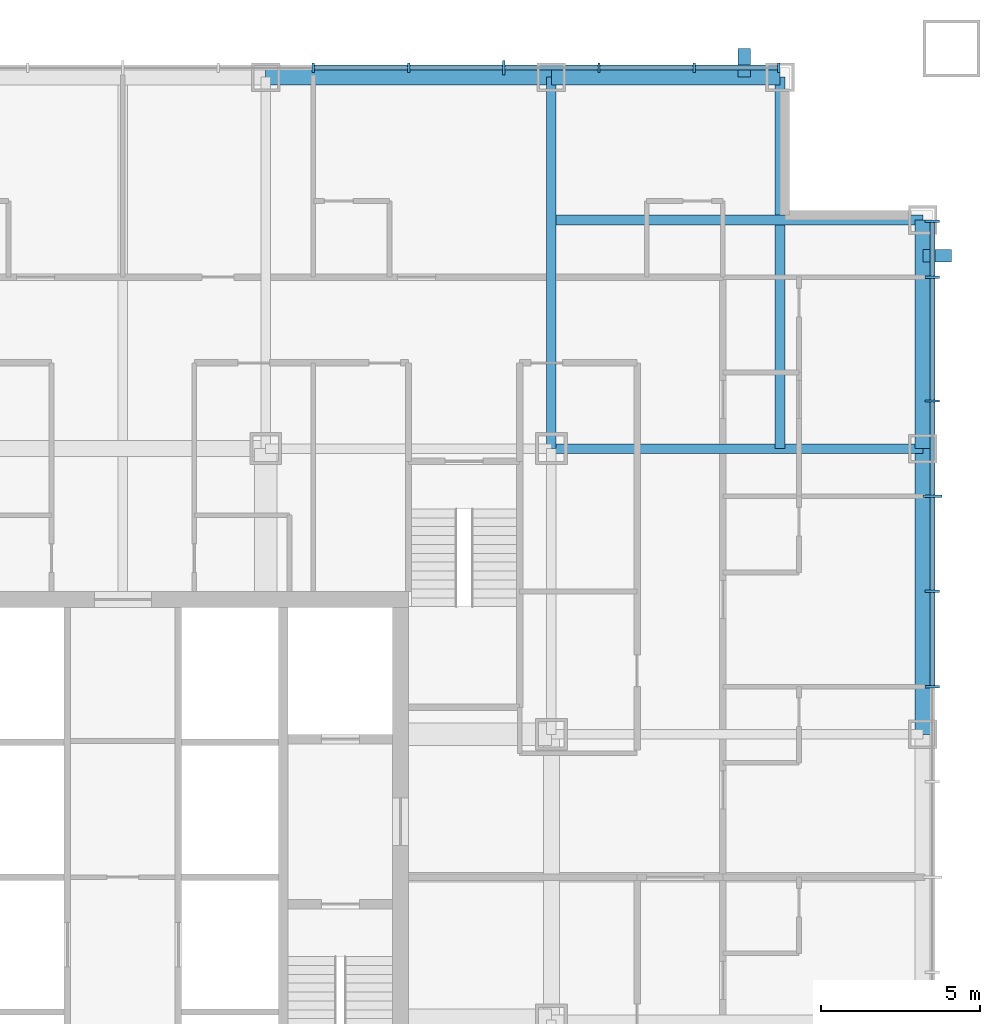
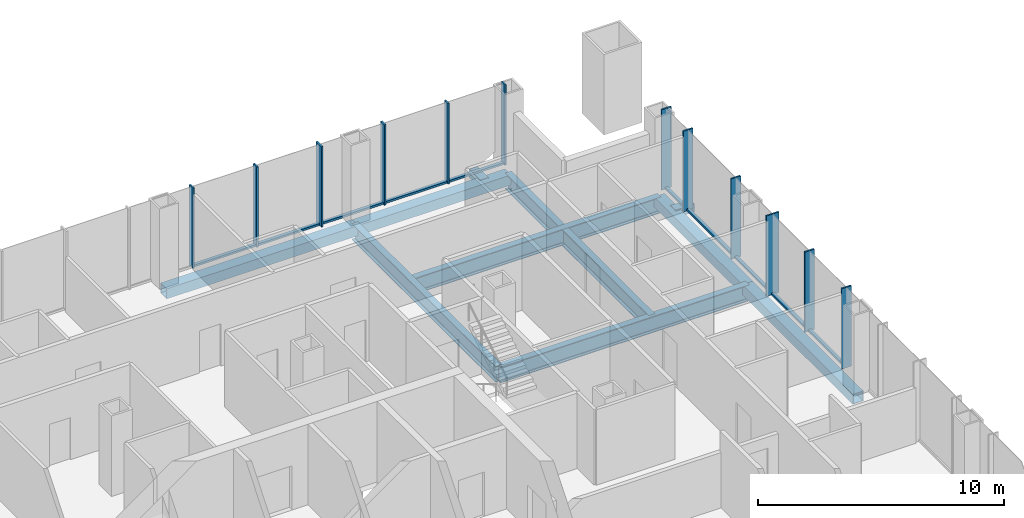
# One storey, part 5 of 12: 24 members, 8 beams, 2 elements without a shape of their own.
"""IFC4 building model written with IfcOpenShell, lengths in metres."""

from ifc_helpers import new_model, si_unit, direction, frame, origin, origin_2d, place, context, subcontext, project, spatial, rectangle, hollow_rectangle, i_section, extrude, material, layer, layer_set, material_profile, profile_set, type_object, element, aggregate, save


model = new_model("IFC4")

# Units and contexts
model_context = context("Model", 3, precision=1e-05, world=origin(), true_north=direction((0.0, 1.0)))
body_context = subcontext(model_context, "Body", "Model", "MODEL_VIEW")
ifc_project = project(units=[si_unit("LENGTHUNIT", "METRE"), si_unit("AREAUNIT", "SQUARE_METRE"), si_unit("VOLUMEUNIT", "CUBIC_METRE"), si_unit("PLANEANGLEUNIT", "RADIAN"), si_unit("MASSUNIT", "GRAM", prefix="KILO")], contexts=[model_context])

# Site, building, storey
site_placement = place(None, origin())
site = spatial("IfcSite", under=ifc_project, at=site_placement, CompositionType="ELEMENT")
building_placement = place(site_placement, origin())
building = spatial("IfcBuilding", under=site, at=building_placement, Name="Malebo Sky Hospital", CompositionType="ELEMENT")
storey_placement = place(building_placement, frame((0.0, 0.0, 59.0)))
storey = spatial("IfcBuildingStorey", under=building, at=storey_placement, Name="L13", CompositionType="ELEMENT", Elevation=59.0)

# Curtain wall, members
ifc_material_1 = material(Name="Anodised aluminium, natural silver", Category="aluminium")
ifc_layer_1 = layer(ifc_material_1, 0.25)
ifc_layer_set_1 = layer_set([ifc_layer_1], Name="WARD CURTAIN WALL NORTH AND SOUTH")
curtain_wall_type_1 = type_object("IfcCurtainWallType", Name="WARD CURTAIN WALL NORTH AND SOUTH", PredefinedType="NOTDEFINED", material=ifc_layer_set_1)
curtain_wall_1_placement = place(storey_placement, origin())
curtain_wall_1 = element("IfcCurtainWall", 1, at=curtain_wall_1_placement, inside=storey, type_object=curtain_wall_type_1, Name="NS curtain wall N", PredefinedType="NOTDEFINED")
ifc_material_profile_1 = material_profile(ifc_material_1, rectangle(XDim=0.14990234375, YDim=0.10009765625, at=origin_2d()), Name="ALUMINIUM TRANSOM 150x100")
ifc_profile_set_1 = profile_set([ifc_material_profile_1], Name="Anodised aluminium, natural silver")
member_type_1 = type_object("IfcMemberType", Name="ALUMINIUM TRANSOM 150x100", PredefinedType="USERDEFINED", material=ifc_profile_set_1)
member_1_placement = place(storey_placement, frame((66.03759765625, 87.5, 0.050048828125), z_axis=(1.0, 0.0, 0.0), x_axis=(0.0, 1.0, 0.0)))
member_1 = element("IfcMember", 2, at=member_1_placement, type_object=member_type_1, Name="Transom 10", ObjectType="TRANSOM", PredefinedType="USERDEFINED", context=body_context, shape_type="SweptSolid", body=[
    extrude(rectangle(XDim=0.14990234375, YDim=0.10009765625, at=origin_2d()), origin(), (0.0, 0.0, 1.0), 2.9248046875),
])
member_2_placement = place(storey_placement, frame((69.03759765625, 87.5, 0.050048828125), z_axis=(1.0, 0.0, 0.0), x_axis=(0.0, 1.0, 0.0)))
member_2 = element("IfcMember", 3, at=member_2_placement, type_object=member_type_1, Name="Transom 11", ObjectType="TRANSOM", PredefinedType="USERDEFINED", context=body_context, shape_type="SweptSolid", body=[
    extrude(rectangle(XDim=0.14990234375, YDim=0.10009765625, at=origin_2d()), origin(), (0.0, 0.0, 1.0), 2.9248046875),
])
member_3_placement = place(storey_placement, frame((72.03759765625, 87.5, 0.050048828125), z_axis=(1.0, 0.0, 0.0), x_axis=(0.0, 1.0, 0.0)))
member_3 = element("IfcMember", 4, at=member_3_placement, type_object=member_type_1, Name="Transom 12", ObjectType="TRANSOM", PredefinedType="USERDEFINED", context=body_context, shape_type="SweptSolid", body=[
    extrude(rectangle(XDim=0.14990234375, YDim=0.10009765625, at=origin_2d()), origin(), (0.0, 0.0, 1.0), 2.9248046875),
])
member_4_placement = place(storey_placement, frame((75.03759765625, 87.5, 0.050048828125), z_axis=(1.0, 0.0, 0.0), x_axis=(0.0, 1.0, 0.0)))
member_4 = element("IfcMember", 5, at=member_4_placement, type_object=member_type_1, Name="Transom 13", ObjectType="TRANSOM", PredefinedType="USERDEFINED", context=body_context, shape_type="SweptSolid", body=[
    extrude(rectangle(XDim=0.14990234375, YDim=0.10009765625, at=origin_2d()), origin(), (0.0, 0.0, 1.0), 2.9248046875),
])
member_5_placement = place(storey_placement, frame((78.03759765625, 87.5, 0.050048828125), z_axis=(1.0, 0.0, 0.0), x_axis=(0.0, 1.0, 0.0)))
member_5 = element("IfcMember", 6, at=member_5_placement, type_object=member_type_1, Name="Transom 14", ObjectType="TRANSOM", PredefinedType="USERDEFINED", context=body_context, shape_type="SweptSolid", body=[
    extrude(rectangle(XDim=0.14990234375, YDim=0.10009765625, at=origin_2d()), origin(), (0.0, 0.0, 1.0), 2.58740234375),
])

ifc_layer_2 = layer(ifc_material_1, 0.25)
ifc_layer_set_2 = layer_set([ifc_layer_2], Name="WARD CURTAIN WALL EAST AND WEST")
curtain_wall_type_2 = type_object("IfcCurtainWallType", Name="WARD CURTAIN WALL EAST AND WEST", PredefinedType="NOTDEFINED", material=ifc_layer_set_2)
curtain_wall_2_placement = place(storey_placement, origin())
curtain_wall_2 = element("IfcCurtainWall", 7, at=curtain_wall_2_placement, inside=storey, type_object=curtain_wall_type_2, Name="EW curtain wall E", PredefinedType="NOTDEFINED")
member_6_placement = place(storey_placement, frame((85.5, 82.625, 0.050048828125), z_axis=(0.0, -1.0, 0.0), x_axis=(1.0, 0.0, 0.0)))
member_6 = element("IfcMember", 8, at=member_6_placement, type_object=member_type_1, Name="Transom 1", ObjectType="TRANSOM", PredefinedType="USERDEFINED", context=body_context, shape_type="SweptSolid", body=[
    extrude(rectangle(XDim=0.14990234375, YDim=0.10009765625, at=origin_2d()), origin(), (0.0, 0.0, 1.0), 1.6875),
])
member_7_placement = place(storey_placement, frame((85.5, 80.862548828125, 0.050048828125), z_axis=(0.0, -1.0, 0.0), x_axis=(1.0, 0.0, 0.0)))
member_7 = element("IfcMember", 9, at=member_7_placement, type_object=member_type_1, Name="Transom 2", ObjectType="TRANSOM", PredefinedType="USERDEFINED", context=body_context, shape_type="SweptSolid", body=[
    extrude(rectangle(XDim=0.14990234375, YDim=0.10009765625, at=origin_2d()), origin(), (0.0, 0.0, 1.0), 3.824951171875),
])
member_8_placement = place(storey_placement, frame((85.5, 76.96240234375, 0.050048828125), z_axis=(0.0, -1.0, 0.0), x_axis=(1.0, 0.0, 0.0)))
member_8 = element("IfcMember", 10, at=member_8_placement, type_object=member_type_1, Name="Transom 3", ObjectType="TRANSOM", PredefinedType="USERDEFINED", context=body_context, shape_type="SweptSolid", body=[
    extrude(rectangle(XDim=0.14990234375, YDim=0.10009765625, at=origin_2d()), origin(), (0.0, 0.0, 1.0), 2.9248046875),
])
member_9_placement = place(storey_placement, frame((85.5, 73.96240234375, 0.050048828125), z_axis=(0.0, -1.0, 0.0), x_axis=(1.0, 0.0, 0.0)))
member_9 = element("IfcMember", 11, at=member_9_placement, type_object=member_type_1, Name="Transom 4", ObjectType="TRANSOM", PredefinedType="USERDEFINED", context=body_context, shape_type="SweptSolid", body=[
    extrude(rectangle(XDim=0.14990234375, YDim=0.10009765625, at=origin_2d()), origin(), (0.0, 0.0, 1.0), 2.9248046875),
])
member_10_placement = place(storey_placement, frame((85.5, 70.96240234375, 0.050048828125), z_axis=(0.0, -1.0, 0.0), x_axis=(1.0, 0.0, 0.0)))
member_10 = element("IfcMember", 12, at=member_10_placement, type_object=member_type_1, Name="Transom 5", ObjectType="TRANSOM", PredefinedType="USERDEFINED", context=body_context, shape_type="SweptSolid", body=[
    extrude(rectangle(XDim=0.14990234375, YDim=0.10009765625, at=origin_2d()), origin(), (0.0, 0.0, 1.0), 2.9248046875),
])

# Members
ifc_material_2 = material(Name="Steel S355", Category="steel")
ifc_material_profile_2 = material_profile(ifc_material_2, hollow_rectangle(XDim=0.39990234375, YDim=0.39990234375, WallThickness=0.02001953125, at=origin_2d()), Name="SHS 400x20")
ifc_profile_set_2 = profile_set([ifc_material_profile_2], Name="Steel S355")
member_type_2 = type_object("IfcMemberType", Name="BRACE STRUT SHS 400x20", PredefinedType="STRUT", material=ifc_profile_set_2)
for number, where, z_axis, x_axis, name in (
    (13, (79.574951171875, 88.10009765625, -0.39990234375), (0.0, -1.0, 0.0), (1.0, 0.0, 0.0), "Brace strut AN2 L13"),
    (14, (86.10009765625, 81.574951171875, -0.39990234375), (-1.0, 0.0, 0.0), (0.0, -1.0, 0.0), "Brace strut AE1 L13"),
):
    element("IfcMember", number, at=place(storey_placement, frame(where, z_axis=z_axis, x_axis=x_axis)), inside=storey, type_object=member_type_2, Name=name, PredefinedType="STRUT", context=body_context, shape_type="SweptSolid", body=[
        extrude(hollow_rectangle(XDim=0.39990234375, YDim=0.39990234375, WallThickness=0.02001953125, at=origin_2d()), origin(), (0.0, 0.0, 1.0), 0.900146484375),
    ])

# Member
ifc_material_profile_3 = material_profile(ifc_material_1, rectangle(XDim=0.074951171875, YDim=0.300048828125, at=origin_2d()), Name="CW1 ALUMINIUM FIN MULLION 75x300")
ifc_profile_set_3 = profile_set([ifc_material_profile_3], Name="Anodised aluminium, natural silver")
member_type_3 = type_object("IfcMemberType", Name="CW1 ALUMINIUM FIN MULLION 75x300", PredefinedType="MULLION", material=ifc_profile_set_3)
member_11_placement = place(storey_placement, frame((66.0, 87.5, 0.0), z_axis=(0.0, 0.0, 1.0), x_axis=(1.0, 0.0, 0.0)))
member_11 = element("IfcMember", 15, at=member_11_placement, type_object=member_type_3, Name="Fin mullion 10", PredefinedType="MULLION", context=body_context, shape_type="SweptSolid", body=[
    extrude(rectangle(XDim=0.074951171875, YDim=0.300048828125, at=origin_2d()), origin(), (0.0, 0.0, 1.0), 4.0),
])

member_12_placement = place(storey_placement, frame((69.0, 87.5, 0.0), z_axis=(0.0, 0.0, 1.0), x_axis=(1.0, 0.0, 0.0)))
member_12 = element("IfcMember", 16, at=member_12_placement, type_object=member_type_3, Name="Fin mullion 11", PredefinedType="MULLION", context=body_context, shape_type="SweptSolid", body=[
    extrude(rectangle(XDim=0.074951171875, YDim=0.300048828125, at=origin_2d()), origin(), (0.0, 0.0, 1.0), 4.0),
])

member_13_placement = place(storey_placement, frame((75.0, 87.5, 0.0), z_axis=(0.0, 0.0, 1.0), x_axis=(1.0, 0.0, 0.0)))
member_13 = element("IfcMember", 17, at=member_13_placement, type_object=member_type_3, Name="Fin mullion 13", PredefinedType="MULLION", context=body_context, shape_type="SweptSolid", body=[
    extrude(rectangle(XDim=0.074951171875, YDim=0.300048828125, at=origin_2d()), origin(), (0.0, 0.0, 1.0), 4.0),
])

member_14_placement = place(storey_placement, frame((78.0, 87.5, 0.0), z_axis=(0.0, 0.0, 1.0), x_axis=(1.0, 0.0, 0.0)))
member_14 = element("IfcMember", 18, at=member_14_placement, type_object=member_type_3, Name="Fin mullion 14", PredefinedType="MULLION", context=body_context, shape_type="SweptSolid", body=[
    extrude(rectangle(XDim=0.074951171875, YDim=0.300048828125, at=origin_2d()), origin(), (0.0, 0.0, 1.0), 4.0),
])

member_15_placement = place(storey_placement, frame((80.66259765625, 87.5, 0.0), z_axis=(0.0, 0.0, 1.0), x_axis=(1.0, 0.0, 0.0)))
member_15 = element("IfcMember", 19, at=member_15_placement, type_object=member_type_3, Name="Fin mullion 15", PredefinedType="MULLION", context=body_context, shape_type="SweptSolid", body=[
    extrude(rectangle(XDim=0.074951171875, YDim=0.300048828125, at=origin_2d()), origin(), (0.0, 0.0, 1.0), 4.0),
])

ifc_material_profile_4 = material_profile(ifc_material_1, rectangle(XDim=0.074951171875, YDim=0.449951171875, at=origin_2d()), Name="CW1 ALUMINIUM FIN MULLION 75x450")
ifc_profile_set_4 = profile_set([ifc_material_profile_4], Name="Anodised aluminium, natural silver")
member_type_4 = type_object("IfcMemberType", Name="CW1 ALUMINIUM FIN MULLION 75x450", PredefinedType="MULLION", material=ifc_profile_set_4)
member_16_placement = place(storey_placement, frame((72.0, 87.5, 0.0), z_axis=(0.0, 0.0, 1.0), x_axis=(1.0, 0.0, 0.0)))
member_16 = element("IfcMember", 20, at=member_16_placement, type_object=member_type_4, Name="Fin mullion 12", PredefinedType="MULLION", context=body_context, shape_type="SweptSolid", body=[
    extrude(rectangle(XDim=0.074951171875, YDim=0.449951171875, at=origin_2d()), origin(), (0.0, 0.0, 1.0), 4.0),
])

aggregate(curtain_wall_1, [member_11, member_12, member_16, member_13, member_14, member_15, member_1, member_2, member_3, member_4, member_5])

ifc_material_profile_5 = material_profile(ifc_material_1, rectangle(XDim=0.074951171875, YDim=0.449951171875, at=origin_2d()), Name="CW2 ALUMINIUM FIN MULLION 75x450")
ifc_profile_set_5 = profile_set([ifc_material_profile_5], Name="Anodised aluminium, natural silver")
member_type_5 = type_object("IfcMemberType", Name="CW2 ALUMINIUM FIN MULLION 75x450", PredefinedType="MULLION", material=ifc_profile_set_5)
member_17_placement = place(storey_placement, frame((85.5, 82.66259765625, 0.0), z_axis=(0.0, 0.0, 1.0), x_axis=(0.0, -1.0, 0.0)))
member_17 = element("IfcMember", 21, at=member_17_placement, type_object=member_type_5, Name="Fin mullion 1", PredefinedType="MULLION", context=body_context, shape_type="SweptSolid", body=[
    extrude(rectangle(XDim=0.074951171875, YDim=0.449951171875, at=origin_2d()), origin(), (0.0, 0.0, 1.0), 4.0),
])

member_18_placement = place(storey_placement, frame((85.5, 80.89990234375, 0.0), z_axis=(0.0, 0.0, 1.0), x_axis=(0.0, -1.0, 0.0)))
member_18 = element("IfcMember", 22, at=member_18_placement, type_object=member_type_5, Name="Fin mullion 2", PredefinedType="MULLION", context=body_context, shape_type="SweptSolid", body=[
    extrude(rectangle(XDim=0.074951171875, YDim=0.449951171875, at=origin_2d()), origin(), (0.0, 0.0, 1.0), 4.0),
])

member_19_placement = place(storey_placement, frame((85.5, 77.0, 0.0), z_axis=(0.0, 0.0, 1.0), x_axis=(0.0, -1.0, 0.0)))
member_19 = element("IfcMember", 23, at=member_19_placement, type_object=member_type_5, Name="Fin mullion 3", PredefinedType="MULLION", context=body_context, shape_type="SweptSolid", body=[
    extrude(rectangle(XDim=0.074951171875, YDim=0.449951171875, at=origin_2d()), origin(), (0.0, 0.0, 1.0), 4.0),
])

member_20_placement = place(storey_placement, frame((85.5, 71.0, 0.0), z_axis=(0.0, 0.0, 1.0), x_axis=(0.0, -1.0, 0.0)))
member_20 = element("IfcMember", 24, at=member_20_placement, type_object=member_type_5, Name="Fin mullion 5", PredefinedType="MULLION", context=body_context, shape_type="SweptSolid", body=[
    extrude(rectangle(XDim=0.074951171875, YDim=0.449951171875, at=origin_2d()), origin(), (0.0, 0.0, 1.0), 4.0),
])

member_21_placement = place(storey_placement, frame((85.5, 68.0, 0.0), z_axis=(0.0, 0.0, 1.0), x_axis=(0.0, -1.0, 0.0)))
member_21 = element("IfcMember", 25, at=member_21_placement, type_object=member_type_5, Name="Fin mullion 6", PredefinedType="MULLION", context=body_context, shape_type="SweptSolid", body=[
    extrude(rectangle(XDim=0.074951171875, YDim=0.449951171875, at=origin_2d()), origin(), (0.0, 0.0, 1.0), 4.0),
])

ifc_material_profile_6 = material_profile(ifc_material_1, rectangle(XDim=0.074951171875, YDim=0.60009765625, at=origin_2d()), Name="CW2 ALUMINIUM FIN MULLION 75x600")
ifc_profile_set_6 = profile_set([ifc_material_profile_6], Name="Anodised aluminium, natural silver")
member_type_6 = type_object("IfcMemberType", Name="CW2 ALUMINIUM FIN MULLION 75x600", PredefinedType="MULLION", material=ifc_profile_set_6)
member_22_placement = place(storey_placement, frame((85.5, 74.0, 0.0), z_axis=(0.0, 0.0, 1.0), x_axis=(0.0, -1.0, 0.0)))
member_22 = element("IfcMember", 26, at=member_22_placement, type_object=member_type_6, Name="Fin mullion 4", PredefinedType="MULLION", context=body_context, shape_type="SweptSolid", body=[
    extrude(rectangle(XDim=0.074951171875, YDim=0.60009765625, at=origin_2d()), origin(), (0.0, 0.0, 1.0), 4.0),
])

aggregate(curtain_wall_2, [member_17, member_18, member_19, member_22, member_20, member_21, member_6, member_7, member_8, member_9, member_10])

# Beams
ifc_material_3 = material(Name="Steel S460", Category="steel")
ifc_material_profile_7 = material_profile(ifc_material_3, hollow_rectangle(XDim=0.5, YDim=0.5, WallThickness=0.030029296875, at=origin_2d()), Name="BOX 500x500x30")
ifc_profile_set_7 = profile_set([ifc_material_profile_7], Name="Steel S460")
beam_type_1 = type_object("IfcBeamType", Name="EDGE BEAM BOX 500x500x30", PredefinedType="BEAM", material=ifc_profile_set_7)
beam_1_placement = place(storey_placement, frame((85.199951171875, 66.5, -0.5), z_axis=(0.0, 1.0, 0.0), x_axis=(-1.0, 0.0, 0.0)))
element("IfcBeam", 27, at=beam_1_placement, inside=storey, type_object=beam_type_1, Name="Beam 032 L13", PredefinedType="BEAM", context=body_context, shape_type="SweptSolid", body=[
    extrude(hollow_rectangle(XDim=0.5, YDim=0.5, WallThickness=0.030029296875, at=origin_2d()), origin(), (0.0, 0.0, 1.0), 9.0),
])
beam_2_placement = place(storey_placement, frame((85.199951171875, 75.5, -0.5), z_axis=(0.0, 1.0, 0.0), x_axis=(-1.0, 0.0, 0.0)))
element("IfcBeam", 28, at=beam_2_placement, inside=storey, type_object=beam_type_1, Name="Beam 033 L13", PredefinedType="BEAM", context=body_context, shape_type="SweptSolid", body=[
    extrude(hollow_rectangle(XDim=0.5, YDim=0.5, WallThickness=0.030029296875, at=origin_2d()), origin(), (0.0, 0.0, 1.0), 7.199951171875),
])
beam_3_placement = place(storey_placement, frame((64.5, 87.199951171875, -0.5), z_axis=(1.0, 0.0, 0.0), x_axis=(0.0, 1.0, 0.0)))
element("IfcBeam", 29, at=beam_3_placement, inside=storey, type_object=beam_type_1, Name="Beam 066 L13", PredefinedType="BEAM", context=body_context, shape_type="SweptSolid", body=[
    extrude(hollow_rectangle(XDim=0.5, YDim=0.5, WallThickness=0.030029296875, at=origin_2d()), origin(), (0.0, 0.0, 1.0), 9.0),
])
beam_4_placement = place(storey_placement, frame((73.5, 87.199951171875, -0.5), z_axis=(1.0, 0.0, 0.0), x_axis=(0.0, 1.0, 0.0)))
element("IfcBeam", 30, at=beam_4_placement, inside=storey, type_object=beam_type_1, Name="Beam 067 L13", PredefinedType="BEAM", context=body_context, shape_type="SweptSolid", body=[
    extrude(hollow_rectangle(XDim=0.5, YDim=0.5, WallThickness=0.030029296875, at=origin_2d()), origin(), (0.0, 0.0, 1.0), 7.199951171875),
])
ifc_material_profile_8 = material_profile(ifc_material_2, i_section(OverallWidth=0.300048828125, OverallDepth=0.800048828125, WebThickness=0.017578125, FlangeThickness=0.032958984375, FilletRadius=0.030029296875, at=origin_2d()), Name="HEB 800")
ifc_profile_set_8 = profile_set([ifc_material_profile_8], Name="Steel S355")
beam_type_2 = type_object("IfcBeamType", Name="FLOOR BEAM HEB 800", PredefinedType="BEAM", material=ifc_profile_set_8)
for number, where, z_axis, x_axis, name in (
    (31, (80.699951171875, 75.5, -0.64990234375), (0.0, 1.0, 0.0), (-1.0, 0.0, 0.0), "Beam 028 L13"),
    (32, (73.5, 82.699951171875, -0.64990234375), (1.0, 0.0, 0.0), (0.0, 1.0, 0.0), "Beam 062 L13"),
):
    element("IfcBeam", number, at=place(storey_placement, frame(where, z_axis=z_axis, x_axis=x_axis)), inside=storey, type_object=beam_type_2, Name=name, PredefinedType="BEAM", context=body_context, shape_type="SweptSolid", body=[
        extrude(i_section(OverallWidth=0.300048828125, OverallDepth=0.800048828125, WebThickness=0.017578125, FlangeThickness=0.032958984375, FilletRadius=0.030029296875, at=origin_2d()), origin(), (0.0, 0.0, 1.0), 11.699951171875),
    ])
ifc_material_profile_9 = material_profile(ifc_material_2, i_section(OverallWidth=0.300048828125, OverallDepth=0.800048828125, WebThickness=0.017578125, FlangeThickness=0.032958984375, FilletRadius=0.030029296875, at=origin_2d()), Name="HEB 800")
ifc_profile_set_9 = profile_set([ifc_material_profile_9], Name="Steel S355")
beam_type_3 = type_object("IfcBeamType", Name="FLOOR GIRDER HEB 800", PredefinedType="BEAM", material=ifc_profile_set_9)
for number, where, z_axis, x_axis, name in (
    (33, (73.5, 75.5, -0.64990234375), (0.0, 1.0, 0.0), (-1.0, 0.0, 0.0), "Beam 026 L13"),
    (34, (73.5, 75.5, -0.64990234375), (1.0, 0.0, 0.0), (0.0, 1.0, 0.0), "Beam 060 L13"),
):
    element("IfcBeam", number, at=place(storey_placement, frame(where, z_axis=z_axis, x_axis=x_axis)), inside=storey, type_object=beam_type_3, Name=name, PredefinedType="BEAM", context=body_context, shape_type="SweptSolid", body=[
        extrude(i_section(OverallWidth=0.300048828125, OverallDepth=0.800048828125, WebThickness=0.017578125, FlangeThickness=0.032958984375, FilletRadius=0.030029296875, at=origin_2d()), origin(), (0.0, 0.0, 1.0), 11.699951171875),
    ])

save(model, "model.ifc")
